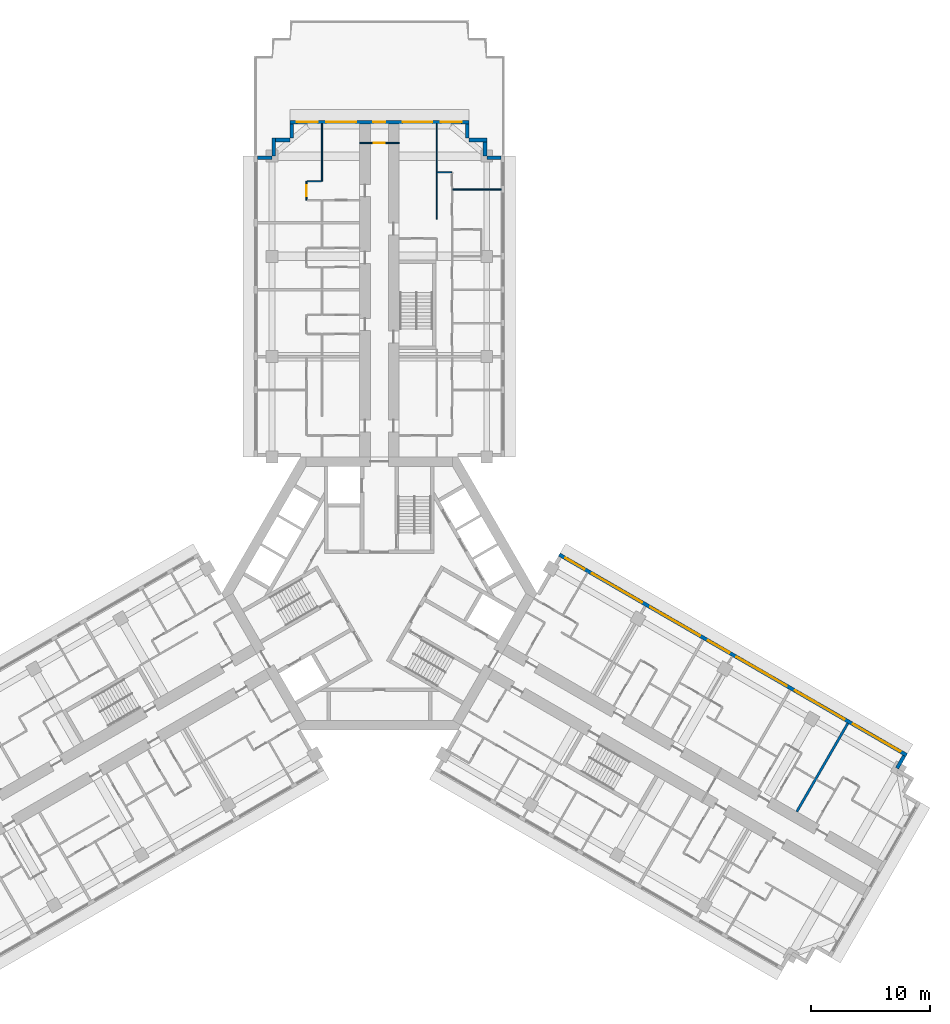
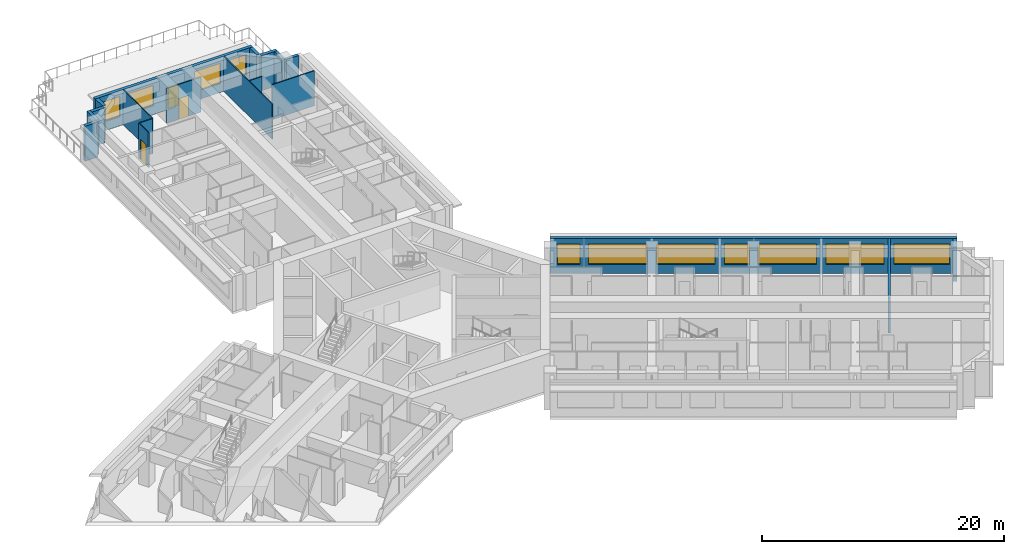
# One storey, part 13 of 16: 19 walls, 11 windows, 3 doors, 14 openings.
"""IFC4 building model written with IfcOpenShell, lengths in metres."""

from ifc_helpers import new_model, si_unit, direction, frame, frame_2d, origin, place, context, subcontext, project, spatial, rectangle, extrude, material, layer, layer_set, type_object, element, fill, save


model = new_model("IFC4")

# Units and contexts
model_context = context("Model", 3, precision=1e-05, world=origin(), true_north=direction((0.0, 1.0)))
body_context = subcontext(model_context, "Body", "Model", "MODEL_VIEW")
ifc_project = project(units=[si_unit("LENGTHUNIT", "METRE"), si_unit("AREAUNIT", "SQUARE_METRE"), si_unit("VOLUMEUNIT", "CUBIC_METRE"), si_unit("PLANEANGLEUNIT", "RADIAN"), si_unit("MASSUNIT", "GRAM", prefix="KILO")], contexts=[model_context])

# Site, building, storey
site_placement = place(None, origin())
site = spatial("IfcSite", under=ifc_project, at=site_placement, CompositionType="ELEMENT")
building_placement = place(site_placement, origin())
building = spatial("IfcBuilding", under=site, at=building_placement, Name="Impinga Residences", CompositionType="ELEMENT")
storey_placement = place(building_placement, frame((0.0, 0.0, 106.0)))
storey = spatial("IfcBuildingStorey", under=building, at=storey_placement, Name="L25", CompositionType="ELEMENT", Elevation=106.0)

# Wall, opening, door
ifc_material_1 = material(Name="Concrete blockwork", Category="masonry")
ifc_layer_1 = layer(ifc_material_1, 0.10009765625)
ifc_layer_set_1 = layer_set([ifc_layer_1], Name="CP1 core room partition, blockwork 100")
wall_type_1 = type_object("IfcWallType", Name="CP1 core room partition, blockwork 100", PredefinedType="PARTITIONING", material=ifc_layer_set_1)
wall_1_placement = place(storey_placement, frame((-1.64990234375, 37.7314453125, 0.0), z_axis=(0.0, 0.0, 1.0), x_axis=(1.0, 0.0, 0.0)))
wall_1 = element("IfcWall", 1, at=wall_1_placement, inside=storey, type_object=wall_type_1, Name="Core room partition, blockwork L25:N:RFA", PredefinedType="PARTITIONING", context=body_context, shape_type="SweptSolid", body=[
    extrude(rectangle(XDim=3.2998046875, YDim=0.10009765625, at=frame_2d((1.64990234375, 0.0))), origin(), (0.0, 0.0, 1.0), 3.530029296875),
])
opening_1_placement = place(wall_1_placement, frame((1.199951171875, 0.0, 0.0)))
opening_1 = element("IfcOpeningElement", 2, at=opening_1_placement, cuts=wall_1, Name="Opening D6", PredefinedType="OPENING", context=body_context, shape_type="SweptSolid", body=[
    extrude(rectangle(XDim=0.89990234375, YDim=2.10009765625, at=frame_2d((0.449951171875, 1.050048828125))), frame((0.0, 0.06005859375, 0.0), z_axis=(0.0, -1.0, 0.0), x_axis=(1.0, 0.0, 0.0)), (0.0, 0.0, 1.0), 0.1201171875),
])
ifc_material_2 = material(Name="Timber door set", Category="wood")
door_type_1 = type_object("IfcDoorType", Name="D6 riser and store door 900x2100", OperationType="SINGLE_SWING_LEFT", PredefinedType="DOOR", material=ifc_material_2)
door_1_placement = place(opening_1_placement, origin())
door_1 = element("IfcDoor", 3, at=door_1_placement, inside=storey, type_object=door_type_1, Name="Roof access room door N", OperationType="SINGLE_SWING_LEFT", OverallHeight=2.10009765625, OverallWidth=0.89990234375, PredefinedType="DOOR", context=body_context, shape_type="SweptSolid", body=[
    extrude(rectangle(XDim=0.89990234375, YDim=2.10009765625, at=frame_2d((0.449951171875, 1.050048828125))), frame((0.0, 0.02490234375, 0.0), z_axis=(0.0, -1.0, 0.0), x_axis=(1.0, 0.0, 0.0)), (0.0, 0.0, 1.0), 0.050048828125),
])
fill(opening_1, door_1)

# Walls
ifc_material_3 = material(Name="Terracotta rainscreen on blockwork", Category="masonry")
ifc_layer_2 = layer(ifc_material_3, 0.300048828125)
ifc_layer_set_2 = layer_set([ifc_layer_2], Name="EW1 external wall, terracotta rainscreen on blockwork 300")
wall_type_2 = type_object("IfcWallType", Name="EW1 external wall, terracotta rainscreen on blockwork 300", PredefinedType="SOLIDWALL", material=ifc_layer_set_2)
wall_2_placement = place(storey_placement, frame((-10.199951171875, 36.4814453125, 0.0), z_axis=(0.0, 0.0, 1.0), x_axis=(1.0, 0.0, 0.0)))
element("IfcWall", 4, at=wall_2_placement, inside=storey, type_object=wall_type_2, Name="External wall EW1 L25", PredefinedType="SOLIDWALL", context=body_context, shape_type="SweptSolid", body=[
    extrude(rectangle(XDim=1.199951171875, YDim=0.300048828125, at=frame_2d((0.60009765625, 0.0))), origin(), (0.0, 0.0, 1.0), 3.530029296875),
])
wall_3_placement = place(storey_placement, frame((-8.85009765625, 36.636474609375, 0.0), z_axis=(0.0, 0.0, 1.0), x_axis=(0.0, 1.0, 0.0)))
element("IfcWall", 5, at=wall_3_placement, inside=storey, type_object=wall_type_2, Name="External wall EW1 L25", PredefinedType="SOLIDWALL", context=body_context, shape_type="SweptSolid", body=[
    extrude(rectangle(XDim=1.4951171875, YDim=0.300048828125, at=frame_2d((0.74755859375, 0.0))), origin(), (0.0, 0.0, 1.0), 3.530029296875),
])
wall_4_placement = place(storey_placement, frame((-8.699951171875, 37.9814453125, 0.0), z_axis=(0.0, 0.0, 1.0), x_axis=(1.0, 0.0, 0.0)))
element("IfcWall", 6, at=wall_4_placement, inside=storey, type_object=wall_type_2, Name="External wall EW1 L25", PredefinedType="SOLIDWALL", context=body_context, shape_type="SweptSolid", body=[
    extrude(rectangle(XDim=1.199951171875, YDim=0.300048828125, at=frame_2d((0.60009765625, 0.0))), origin(), (0.0, 0.0, 1.0), 3.530029296875),
])
wall_5_placement = place(storey_placement, frame((-7.35009765625, 38.136474609375, 0.0), z_axis=(0.0, 0.0, 1.0), x_axis=(0.0, 1.0, 0.0)))
element("IfcWall", 7, at=wall_5_placement, inside=storey, type_object=wall_type_2, Name="External wall EW1 L25", PredefinedType="SOLIDWALL", context=body_context, shape_type="SweptSolid", body=[
    extrude(rectangle(XDim=1.195068359375, YDim=0.300048828125, at=frame_2d((0.59765625, 0.0))), origin(), (0.0, 0.0, 1.0), 3.530029296875),
])

# Wall, openings, door, windows
wall_6_placement = place(storey_placement, frame((-7.5, 39.4814453125, 0.0), z_axis=(0.0, 0.0, 1.0), x_axis=(1.0, 0.0, 0.0)))
wall_6 = element("IfcWall", 8, at=wall_6_placement, inside=storey, type_object=wall_type_2, Name="External wall EW1 L25", PredefinedType="SOLIDWALL", context=body_context, shape_type="SweptSolid", body=[
    extrude(rectangle(XDim=15.0, YDim=0.300048828125, at=frame_2d((7.5, 0.0))), origin(), (0.0, 0.0, 1.0), 3.530029296875),
])
opening_2_placement = place(wall_6_placement, frame((7.0, 0.0, 0.0)))
opening_2 = element("IfcOpeningElement", 9, at=opening_2_placement, cuts=wall_6, Name="Opening RD1", PredefinedType="OPENING", context=body_context, shape_type="SweptSolid", body=[
    extrude(rectangle(XDim=1.0, YDim=2.10009765625, at=frame_2d((0.5, 1.050048828125))), frame((0.0, 0.159912109375, 0.0), z_axis=(0.0, -1.0, 0.0), x_axis=(1.0, 0.0, 0.0)), (0.0, 0.0, 1.0), 0.320068359375),
])
opening_3_placement = place(wall_6_placement, frame((0.60009765625, 0.0, 0.89990234375)))
opening_3 = element("IfcOpeningElement", 10, at=opening_3_placement, cuts=wall_6, Name="Opening W1", PredefinedType="OPENING", context=body_context, shape_type="SweptSolid", body=[
    extrude(rectangle(XDim=1.75, YDim=2.050048828125, at=frame_2d((0.875, 1.02490234375))), frame((0.0, 0.159912109375, 0.0), z_axis=(0.0, -1.0, 0.0), x_axis=(1.0, 0.0, 0.0)), (0.0, 0.0, 1.0), 0.320068359375),
])
opening_4_placement = place(wall_6_placement, frame((3.050048828125, 0.0, 0.89990234375)))
opening_4 = element("IfcOpeningElement", 11, at=opening_4_placement, cuts=wall_6, Name="Opening W2", PredefinedType="OPENING", context=body_context, shape_type="SweptSolid", body=[
    extrude(rectangle(XDim=2.5, YDim=2.050048828125, at=frame_2d((1.25, 1.02490234375))), frame((0.0, 0.159912109375, 0.0), z_axis=(0.0, -1.0, 0.0), x_axis=(1.0, 0.0, 0.0)), (0.0, 0.0, 1.0), 0.320068359375),
])
opening_5_placement = place(wall_6_placement, frame((9.449951171875, 0.0, 0.89990234375)))
opening_5 = element("IfcOpeningElement", 12, at=opening_5_placement, cuts=wall_6, Name="Opening W2", PredefinedType="OPENING", context=body_context, shape_type="SweptSolid", body=[
    extrude(rectangle(XDim=2.5, YDim=2.050048828125, at=frame_2d((1.25, 1.02490234375))), frame((0.0, 0.159912109375, 0.0), z_axis=(0.0, -1.0, 0.0), x_axis=(1.0, 0.0, 0.0)), (0.0, 0.0, 1.0), 0.320068359375),
])
opening_6_placement = place(wall_6_placement, frame((12.64990234375, 0.0, 0.89990234375)))
opening_6 = element("IfcOpeningElement", 13, at=opening_6_placement, cuts=wall_6, Name="Opening W1", PredefinedType="OPENING", context=body_context, shape_type="SweptSolid", body=[
    extrude(rectangle(XDim=1.75, YDim=2.050048828125, at=frame_2d((0.875, 1.02490234375))), frame((0.0, 0.159912109375, 0.0), z_axis=(0.0, -1.0, 0.0), x_axis=(1.0, 0.0, 0.0)), (0.0, 0.0, 1.0), 0.320068359375),
])
ifc_material_4 = material(Name="Steel door, painted", Category="steel")
door_type_2 = type_object("IfcDoorType", Name="RD1 maintenance roof access door 1000x2100", OperationType="SINGLE_SWING_LEFT", PredefinedType="DOOR", material=ifc_material_4)
door_2_placement = place(opening_2_placement, origin())
door_2 = element("IfcDoor", 14, at=door_2_placement, inside=storey, type_object=door_type_2, Name="Maintenance roof access door L25", OperationType="SINGLE_SWING_LEFT", OverallHeight=2.10009765625, OverallWidth=1.0, PredefinedType="DOOR", context=body_context, shape_type="SweptSolid", body=[
    extrude(rectangle(XDim=1.0, YDim=2.10009765625, at=frame_2d((0.5, 1.050048828125))), frame((0.0, 0.02490234375, 0.0), z_axis=(0.0, -1.0, 0.0), x_axis=(1.0, 0.0, 0.0)), (0.0, 0.0, 1.0), 0.050048828125),
])
fill(opening_2, door_2)
ifc_material_5 = material(Name="Aluminium window, clear double glazing", Category="aluminium")
window_type_1 = type_object("IfcWindowType", Name="W1 ribbon window 1750x2050", PartitioningType="SINGLE_PANEL", PredefinedType="WINDOW", material=ifc_material_5)
window_1_placement = place(opening_3_placement, origin())
window_1 = element("IfcWindow", 15, at=window_1_placement, inside=storey, type_object=window_type_1, Name="Window L25", OverallHeight=2.050048828125, OverallWidth=1.75, PartitioningType="SINGLE_PANEL", PredefinedType="WINDOW", context=body_context, shape_type="SweptSolid", body=[
    extrude(rectangle(XDim=1.75, YDim=2.050048828125, at=frame_2d((0.875, 1.02490234375))), frame((0.0, 0.030029296875, 0.0), z_axis=(0.0, -1.0, 0.0), x_axis=(1.0, 0.0, 0.0)), (0.0, 0.0, 1.0), 0.06005859375),
])
fill(opening_3, window_1)
window_2_placement = place(opening_6_placement, origin())
window_2 = element("IfcWindow", 16, at=window_2_placement, inside=storey, type_object=window_type_1, Name="Window L25", OverallHeight=2.050048828125, OverallWidth=1.75, PartitioningType="SINGLE_PANEL", PredefinedType="WINDOW", context=body_context, shape_type="SweptSolid", body=[
    extrude(rectangle(XDim=1.75, YDim=2.050048828125, at=frame_2d((0.875, 1.02490234375))), frame((0.0, 0.030029296875, 0.0), z_axis=(0.0, -1.0, 0.0), x_axis=(1.0, 0.0, 0.0)), (0.0, 0.0, 1.0), 0.06005859375),
])
fill(opening_6, window_2)
window_type_2 = type_object("IfcWindowType", Name="W2 ribbon window 2500x2050", PartitioningType="SINGLE_PANEL", PredefinedType="WINDOW", material=ifc_material_5)
window_3_placement = place(opening_4_placement, origin())
window_3 = element("IfcWindow", 17, at=window_3_placement, inside=storey, type_object=window_type_2, Name="Window L25", OverallHeight=2.050048828125, OverallWidth=2.5, PartitioningType="SINGLE_PANEL", PredefinedType="WINDOW", context=body_context, shape_type="SweptSolid", body=[
    extrude(rectangle(XDim=2.5, YDim=2.050048828125, at=frame_2d((1.25, 1.02490234375))), frame((0.0, 0.030029296875, 0.0), z_axis=(0.0, -1.0, 0.0), x_axis=(1.0, 0.0, 0.0)), (0.0, 0.0, 1.0), 0.06005859375),
])
fill(opening_4, window_3)
window_4_placement = place(opening_5_placement, origin())
window_4 = element("IfcWindow", 18, at=window_4_placement, inside=storey, type_object=window_type_2, Name="Window L25", OverallHeight=2.050048828125, OverallWidth=2.5, PartitioningType="SINGLE_PANEL", PredefinedType="WINDOW", context=body_context, shape_type="SweptSolid", body=[
    extrude(rectangle(XDim=2.5, YDim=2.050048828125, at=frame_2d((1.25, 1.02490234375))), frame((0.0, 0.030029296875, 0.0), z_axis=(0.0, -1.0, 0.0), x_axis=(1.0, 0.0, 0.0)), (0.0, 0.0, 1.0), 0.06005859375),
])
fill(opening_5, window_4)

# Walls
wall_7_placement = place(storey_placement, frame((7.35009765625, 39.33154296875, 0.0), z_axis=(0.0, 0.0, 1.0), x_axis=(0.0, -1.0, 0.0)))
element("IfcWall", 19, at=wall_7_placement, inside=storey, type_object=wall_type_2, Name="External wall EW1 L25", PredefinedType="SOLIDWALL", context=body_context, shape_type="SweptSolid", body=[
    extrude(rectangle(XDim=1.195068359375, YDim=0.300048828125, at=frame_2d((0.59765625, 0.0))), origin(), (0.0, 0.0, 1.0), 3.530029296875),
])
wall_8_placement = place(storey_placement, frame((7.5, 37.9814453125, 0.0), z_axis=(0.0, 0.0, 1.0), x_axis=(1.0, 0.0, 0.0)))
element("IfcWall", 20, at=wall_8_placement, inside=storey, type_object=wall_type_2, Name="External wall EW1 L25", PredefinedType="SOLIDWALL", context=body_context, shape_type="SweptSolid", body=[
    extrude(rectangle(XDim=1.5, YDim=0.300048828125, at=frame_2d((0.75, 0.0))), origin(), (0.0, 0.0, 1.0), 3.530029296875),
])
wall_9_placement = place(storey_placement, frame((8.85009765625, 37.83154296875, 0.0), z_axis=(0.0, 0.0, 1.0), x_axis=(0.0, -1.0, 0.0)))
element("IfcWall", 21, at=wall_9_placement, inside=storey, type_object=wall_type_2, Name="External wall EW1 L25", PredefinedType="SOLIDWALL", context=body_context, shape_type="SweptSolid", body=[
    extrude(rectangle(XDim=1.199951171875, YDim=0.300048828125, at=frame_2d((0.60009765625, 0.0))), origin(), (0.0, 0.0, 1.0), 3.530029296875),
])
wall_10_placement = place(storey_placement, frame((9.0048828125, 36.4814453125, 0.0), z_axis=(0.0, 0.0, 1.0), x_axis=(1.0, 0.0, 0.0)))
element("IfcWall", 22, at=wall_10_placement, inside=storey, type_object=wall_type_2, Name="External wall EW1 L25", PredefinedType="SOLIDWALL", context=body_context, shape_type="SweptSolid", body=[
    extrude(rectangle(XDim=1.195068359375, YDim=0.300048828125, at=frame_2d((0.59765625, 0.0))), origin(), (0.0, 0.0, 1.0), 3.530029296875),
])

# Wall, openings, windows
wall_11_placement = place(storey_placement, frame((15.074951171875, 3.24755859375, 0.0), z_axis=(0.0, 0.0, 1.0), x_axis=(0.866024291668, -0.500001926238, 0.0)))
wall_11 = element("IfcWall", 23, at=wall_11_placement, inside=storey, type_object=wall_type_2, Name="External wall EW1 L25", PredefinedType="SOLIDWALL", context=body_context, shape_type="SweptSolid", body=[
    extrude(rectangle(XDim=33.599853515625, YDim=0.300048828125, at=frame_2d((16.7998046875, 0.0))), origin(), (0.0, 0.0, 1.0), 3.530029296875),
])
opening_7_placement = place(wall_11_placement, frame((0.60009765625, 0.0, 0.89990234375)))
opening_7 = element("IfcOpeningElement", 24, at=opening_7_placement, cuts=wall_11, Name="Opening W15", PredefinedType="OPENING", context=body_context, shape_type="SweptSolid", body=[
    extrude(rectangle(XDim=1.85009765625, YDim=2.050048828125, at=frame_2d((0.925048828125, 1.02490234375))), frame((0.0, 0.159912109375, 0.0), z_axis=(0.0, -1.0, 0.0), x_axis=(1.0, 0.0, 0.0)), (0.0, 0.0, 1.0), 0.320068359375),
])
opening_8_placement = place(wall_11_placement, frame((3.14990234375, 0.0, 0.89990234375)))
opening_8 = element("IfcOpeningElement", 25, at=opening_8_placement, cuts=wall_11, Name="Opening W6", PredefinedType="OPENING", context=body_context, shape_type="SweptSolid", body=[
    extrude(rectangle(XDim=4.85009765625, YDim=2.050048828125, at=frame_2d((2.425048828125, 1.02490234375))), frame((0.0, 0.159912109375, 0.0), z_axis=(0.0, -1.0, 0.0), x_axis=(1.0, 0.0, 0.0)), (0.0, 0.0, 1.0), 0.320068359375),
])
opening_9_placement = place(wall_11_placement, frame((8.800048828125, 0.0, 0.89990234375)))
opening_9 = element("IfcOpeningElement", 26, at=opening_9_placement, cuts=wall_11, Name="Opening W8", PredefinedType="OPENING", context=body_context, shape_type="SweptSolid", body=[
    extrude(rectangle(XDim=4.800048828125, YDim=2.050048828125, at=frame_2d((2.39990234375, 1.02490234375))), frame((0.0, 0.159912109375, 0.0), z_axis=(0.0, -1.0, 0.0), x_axis=(1.0, 0.0, 0.0)), (0.0, 0.0, 1.0), 0.320068359375),
])
opening_10_placement = place(wall_11_placement, frame((14.39990234375, 0.0, 0.89990234375)))
opening_10 = element("IfcOpeningElement", 27, at=opening_10_placement, cuts=wall_11, Name="Opening W14", PredefinedType="OPENING", context=body_context, shape_type="SweptSolid", body=[
    extrude(rectangle(XDim=2.050048828125, YDim=2.050048828125, at=frame_2d((1.02490234375, 1.02490234375))), frame((0.0, 0.159912109375, 0.0), z_axis=(0.0, -1.0, 0.0), x_axis=(1.0, 0.0, 0.0)), (0.0, 0.0, 1.0), 0.320068359375),
])
opening_11_placement = place(wall_11_placement, frame((17.14990234375, 0.0, 0.89990234375)))
opening_11 = element("IfcOpeningElement", 28, at=opening_11_placement, cuts=wall_11, Name="Opening W6", PredefinedType="OPENING", context=body_context, shape_type="SweptSolid", body=[
    extrude(rectangle(XDim=4.85009765625, YDim=2.050048828125, at=frame_2d((2.425048828125, 1.02490234375))), frame((0.0, 0.159912109375, 0.0), z_axis=(0.0, -1.0, 0.0), x_axis=(1.0, 0.0, 0.0)), (0.0, 0.0, 1.0), 0.320068359375),
])
opening_12_placement = place(wall_11_placement, frame((22.800048828125, 0.0, 0.89990234375)))
opening_12 = element("IfcOpeningElement", 29, at=opening_12_placement, cuts=wall_11, Name="Opening W8", PredefinedType="OPENING", context=body_context, shape_type="SweptSolid", body=[
    extrude(rectangle(XDim=4.800048828125, YDim=2.050048828125, at=frame_2d((2.39990234375, 1.02490234375))), frame((0.0, 0.159912109375, 0.0), z_axis=(0.0, -1.0, 0.0), x_axis=(1.0, 0.0, 0.0)), (0.0, 0.0, 1.0), 0.320068359375),
])
opening_13_placement = place(wall_11_placement, frame((28.39990234375, 0.0, 0.89990234375)))
opening_13 = element("IfcOpeningElement", 30, at=opening_13_placement, cuts=wall_11, Name="Opening W3", PredefinedType="OPENING", context=body_context, shape_type="SweptSolid", body=[
    extrude(rectangle(XDim=4.60009765625, YDim=2.050048828125, at=frame_2d((2.300048828125, 1.02490234375))), frame((0.0, 0.159912109375, 0.0), z_axis=(0.0, -1.0, 0.0), x_axis=(1.0, 0.0, 0.0)), (0.0, 0.0, 1.0), 0.320068359375),
])
window_type_3 = type_object("IfcWindowType", Name="W14 ribbon window 2050x2050", PartitioningType="SINGLE_PANEL", PredefinedType="WINDOW", material=ifc_material_5)
window_5_placement = place(opening_10_placement, origin())
window_5 = element("IfcWindow", 31, at=window_5_placement, inside=storey, type_object=window_type_3, Name="Window L25", OverallHeight=2.050048828125, OverallWidth=2.050048828125, PartitioningType="SINGLE_PANEL", PredefinedType="WINDOW", context=body_context, shape_type="SweptSolid", body=[
    extrude(rectangle(XDim=2.050048828125, YDim=2.050048828125, at=frame_2d((1.02490234375, 1.02490234375))), frame((0.0, 0.030029296875, 0.0), z_axis=(0.0, -1.0, 0.0), x_axis=(1.0, 0.0, 0.0)), (0.0, 0.0, 1.0), 0.06005859375),
])
fill(opening_10, window_5)
window_type_4 = type_object("IfcWindowType", Name="W15 ribbon window 1850x2050", PartitioningType="SINGLE_PANEL", PredefinedType="WINDOW", material=ifc_material_5)
window_6_placement = place(opening_7_placement, origin())
window_6 = element("IfcWindow", 32, at=window_6_placement, inside=storey, type_object=window_type_4, Name="Window L25", OverallHeight=2.050048828125, OverallWidth=1.85009765625, PartitioningType="SINGLE_PANEL", PredefinedType="WINDOW", context=body_context, shape_type="SweptSolid", body=[
    extrude(rectangle(XDim=1.85009765625, YDim=2.050048828125, at=frame_2d((0.925048828125, 1.02490234375))), frame((0.0, 0.030029296875, 0.0), z_axis=(0.0, -1.0, 0.0), x_axis=(1.0, 0.0, 0.0)), (0.0, 0.0, 1.0), 0.06005859375),
])
fill(opening_7, window_6)
window_type_5 = type_object("IfcWindowType", Name="W3 ribbon window 4600x2050", PartitioningType="SINGLE_PANEL", PredefinedType="WINDOW", material=ifc_material_5)
window_7_placement = place(opening_13_placement, origin())
window_7 = element("IfcWindow", 33, at=window_7_placement, inside=storey, type_object=window_type_5, Name="Window L25", OverallHeight=2.050048828125, OverallWidth=4.60009765625, PartitioningType="SINGLE_PANEL", PredefinedType="WINDOW", context=body_context, shape_type="SweptSolid", body=[
    extrude(rectangle(XDim=4.60009765625, YDim=2.050048828125, at=frame_2d((2.300048828125, 1.02490234375))), frame((0.0, 0.030029296875, 0.0), z_axis=(0.0, -1.0, 0.0), x_axis=(1.0, 0.0, 0.0)), (0.0, 0.0, 1.0), 0.06005859375),
])
fill(opening_13, window_7)
window_type_6 = type_object("IfcWindowType", Name="W6 ribbon window 4850x2050", PartitioningType="SINGLE_PANEL", PredefinedType="WINDOW", material=ifc_material_5)
window_8_placement = place(opening_8_placement, origin())
window_8 = element("IfcWindow", 34, at=window_8_placement, inside=storey, type_object=window_type_6, Name="Window L25", OverallHeight=2.050048828125, OverallWidth=4.85009765625, PartitioningType="SINGLE_PANEL", PredefinedType="WINDOW", context=body_context, shape_type="SweptSolid", body=[
    extrude(rectangle(XDim=4.85009765625, YDim=2.050048828125, at=frame_2d((2.425048828125, 1.02490234375))), frame((0.0, 0.030029296875, 0.0), z_axis=(0.0, -1.0, 0.0), x_axis=(1.0, 0.0, 0.0)), (0.0, 0.0, 1.0), 0.06005859375),
])
fill(opening_8, window_8)
window_9_placement = place(opening_11_placement, origin())
window_9 = element("IfcWindow", 35, at=window_9_placement, inside=storey, type_object=window_type_6, Name="Window L25", OverallHeight=2.050048828125, OverallWidth=4.85009765625, PartitioningType="SINGLE_PANEL", PredefinedType="WINDOW", context=body_context, shape_type="SweptSolid", body=[
    extrude(rectangle(XDim=4.85009765625, YDim=2.050048828125, at=frame_2d((2.425048828125, 1.02490234375))), frame((0.0, 0.030029296875, 0.0), z_axis=(0.0, -1.0, 0.0), x_axis=(1.0, 0.0, 0.0)), (0.0, 0.0, 1.0), 0.06005859375),
])
fill(opening_11, window_9)
window_type_7 = type_object("IfcWindowType", Name="W8 ribbon window 4800x2050", PartitioningType="SINGLE_PANEL", PredefinedType="WINDOW", material=ifc_material_5)
window_10_placement = place(opening_9_placement, origin())
window_10 = element("IfcWindow", 36, at=window_10_placement, inside=storey, type_object=window_type_7, Name="Window L25", OverallHeight=2.050048828125, OverallWidth=4.800048828125, PartitioningType="SINGLE_PANEL", PredefinedType="WINDOW", context=body_context, shape_type="SweptSolid", body=[
    extrude(rectangle(XDim=4.800048828125, YDim=2.050048828125, at=frame_2d((2.39990234375, 1.02490234375))), frame((0.0, 0.030029296875, 0.0), z_axis=(0.0, -1.0, 0.0), x_axis=(1.0, 0.0, 0.0)), (0.0, 0.0, 1.0), 0.06005859375),
])
fill(opening_9, window_10)
window_11_placement = place(opening_12_placement, origin())
window_11 = element("IfcWindow", 37, at=window_11_placement, inside=storey, type_object=window_type_7, Name="Window L25", OverallHeight=2.050048828125, OverallWidth=4.800048828125, PartitioningType="SINGLE_PANEL", PredefinedType="WINDOW", context=body_context, shape_type="SweptSolid", body=[
    extrude(rectangle(XDim=4.800048828125, YDim=2.050048828125, at=frame_2d((2.39990234375, 1.02490234375))), frame((0.0, 0.030029296875, 0.0), z_axis=(0.0, -1.0, 0.0), x_axis=(1.0, 0.0, 0.0)), (0.0, 0.0, 1.0), 0.06005859375),
])
fill(opening_12, window_11)

# Walls
wall_12_placement = place(storey_placement, frame((43.968505859375, -13.607421875, 0.0), z_axis=(0.0, 0.0, 1.0), x_axis=(-0.500029051137, -0.866008630453, 0.0)))
element("IfcWall", 38, at=wall_12_placement, inside=storey, type_object=wall_type_2, Name="External wall EW1 L25", PredefinedType="SOLIDWALL", context=body_context, shape_type="SweptSolid", body=[
    extrude(rectangle(XDim=1.19482421875, YDim=0.300048828125, at=frame_2d((0.597412109375, 0.0))), origin(), (0.0, 0.0, 1.0), 3.530029296875),
])
ifc_material_6 = material(Name="Gypsum board on steel studs", Category="steel")
ifc_layer_3 = layer(ifc_material_6, 0.10009765625)
ifc_layer_set_3 = layer_set([ifc_layer_3], Name="Gypsum board on steel studs")
wall_type_3 = type_object("IfcWallType", Name="IP1 partition 100", PredefinedType="PARTITIONING", material=ifc_layer_set_3)
wall_13_placement = place(storey_placement, frame((-4.800048828125, 34.531494140625, 0.0), z_axis=(0.0, 0.0, 1.0), x_axis=(0.0, 1.0, 0.0)))
element("IfcWall", 39, at=wall_13_placement, inside=storey, type_object=wall_type_3, Name="Partition L25-NA4:DIV1", PredefinedType="PARTITIONING", context=body_context, shape_type="SweptSolid", body=[
    extrude(rectangle(XDim=4.800048828125, YDim=0.10009765625, at=frame_2d((2.39990234375, 0.0))), origin(), (0.0, 0.0, 1.0), 3.530029296875),
])

# Wall, opening, door
wall_14_placement = place(storey_placement, frame((-6.10009765625, 32.931640625, 0.0), z_axis=(0.0, 0.0, 1.0), x_axis=(0.0, 1.0, 0.0)))
wall_14 = element("IfcWall", 40, at=wall_14_placement, inside=storey, type_object=wall_type_3, Name="Partition L25-NA4:STRIP", PredefinedType="PARTITIONING", context=body_context, shape_type="SweptSolid", body=[
    extrude(rectangle(XDim=1.599853515625, YDim=0.10009765625, at=frame_2d((0.7998046875, 0.0))), origin(), (0.0, 0.0, 1.0), 3.530029296875),
])
opening_14_placement = place(wall_14_placement, frame((0.35009765625, 0.0, 0.0)))
opening_14 = element("IfcOpeningElement", 41, at=opening_14_placement, cuts=wall_14, Name="Opening D2", PredefinedType="OPENING", context=body_context, shape_type="SweptSolid", body=[
    extrude(rectangle(XDim=0.89990234375, YDim=2.10009765625, at=frame_2d((0.449951171875, 1.050048828125))), frame((0.0, 0.06005859375, 0.0), z_axis=(0.0, -1.0, 0.0), x_axis=(1.0, 0.0, 0.0)), (0.0, 0.0, 1.0), 0.1201171875),
])
door_type_3 = type_object("IfcDoorType", Name="D2 internal door 900x2100", OperationType="SINGLE_SWING_LEFT", PredefinedType="DOOR", material=ifc_material_2)
door_3_placement = place(opening_14_placement, origin())
door_3 = element("IfcDoor", 42, at=door_3_placement, inside=storey, type_object=door_type_3, Name="Apartment L25-NA4 room door", OperationType="SINGLE_SWING_LEFT", OverallHeight=2.10009765625, OverallWidth=0.89990234375, PredefinedType="DOOR", context=body_context, shape_type="SweptSolid", body=[
    extrude(rectangle(XDim=0.89990234375, YDim=2.10009765625, at=frame_2d((0.449951171875, 1.050048828125))), frame((0.0, 0.02490234375, 0.0), z_axis=(0.0, -1.0, 0.0), x_axis=(1.0, 0.0, 0.0)), (0.0, 0.0, 1.0), 0.050048828125),
])
fill(opening_14, door_3)

# Walls
wall_15_placement = place(storey_placement, frame((-4.85009765625, 34.531494140625, 0.0), z_axis=(0.0, 0.0, 1.0), x_axis=(-1.0, 0.0, 0.0)))
element("IfcWall", 43, at=wall_15_placement, inside=storey, type_object=wall_type_3, Name="Partition L25-NA4:SE1", PredefinedType="PARTITIONING", context=body_context, shape_type="SweptSolid", body=[
    extrude(rectangle(XDim=1.199951171875, YDim=0.10009765625, at=frame_2d((0.60009765625, 0.0))), origin(), (0.0, 0.0, 1.0), 3.530029296875),
])
wall_16_placement = place(storey_placement, frame((4.800048828125, 31.33154296875, 0.0), z_axis=(0.0, 0.0, 1.0), x_axis=(0.0, 1.0, 0.0)))
element("IfcWall", 44, at=wall_16_placement, inside=storey, type_object=wall_type_3, Name="Partition L25-NF2:DIV2", PredefinedType="PARTITIONING", context=body_context, shape_type="SweptSolid", body=[
    extrude(rectangle(XDim=8.0, YDim=0.10009765625, at=frame_2d((4.0, 0.0))), origin(), (0.0, 0.0, 1.0), 3.530029296875),
])
wall_17_placement = place(storey_placement, frame((4.85009765625, 35.281494140625, 0.0), z_axis=(0.0, 0.0, 1.0), x_axis=(1.0, 0.0, 0.0)))
element("IfcWall", 45, at=wall_17_placement, inside=storey, type_object=wall_type_3, Name="Partition L25-NF2:SE1", PredefinedType="PARTITIONING", context=body_context, shape_type="SweptSolid", body=[
    extrude(rectangle(XDim=1.199951171875, YDim=0.10009765625, at=frame_2d((0.60009765625, 0.0))), origin(), (0.0, 0.0, 1.0), 3.530029296875),
])
wall_18_placement = place(storey_placement, frame((6.14990234375, 33.83154296875, 0.0), z_axis=(0.0, 0.0, 1.0), x_axis=(1.0, 0.0, 0.0)))
element("IfcWall", 46, at=wall_18_placement, inside=storey, type_object=wall_type_3, Name="Partition L25-NF2:OB4", PredefinedType="PARTITIONING", context=body_context, shape_type="SweptSolid", body=[
    extrude(rectangle(XDim=4.050048828125, YDim=0.10009765625, at=frame_2d((2.02490234375, 0.0))), origin(), (0.0, 0.0, 1.0), 3.530029296875),
])
ifc_layer_4 = layer(ifc_material_1, 0.199951171875)
ifc_layer_set_4 = layer_set([ifc_layer_4], Name="PW1 party wall between apartments 200")
wall_type_4 = type_object("IfcWallType", Name="PW1 party wall between apartments 200", PredefinedType="SOLIDWALL", material=ifc_layer_set_4)
wall_19_placement = place(storey_placement, frame((34.9736328125, -18.286865234375, 0.0), z_axis=(0.0, 0.0, 1.0), x_axis=(0.500011643316, 0.866018681408, 0.0)))
element("IfcWall", 47, at=wall_19_placement, inside=storey, type_object=wall_type_4, Name="Party wall between apartments L25-EA4:PARTY", PredefinedType="SOLIDWALL", context=body_context, shape_type="SweptSolid", body=[
    extrude(rectangle(XDim=8.550048828125, YDim=0.199951171875, at=frame_2d((4.27490234375, 0.0))), origin(), (0.0, 0.0, 1.0), 3.530029296875),
])

save(model, "model.ifc")
